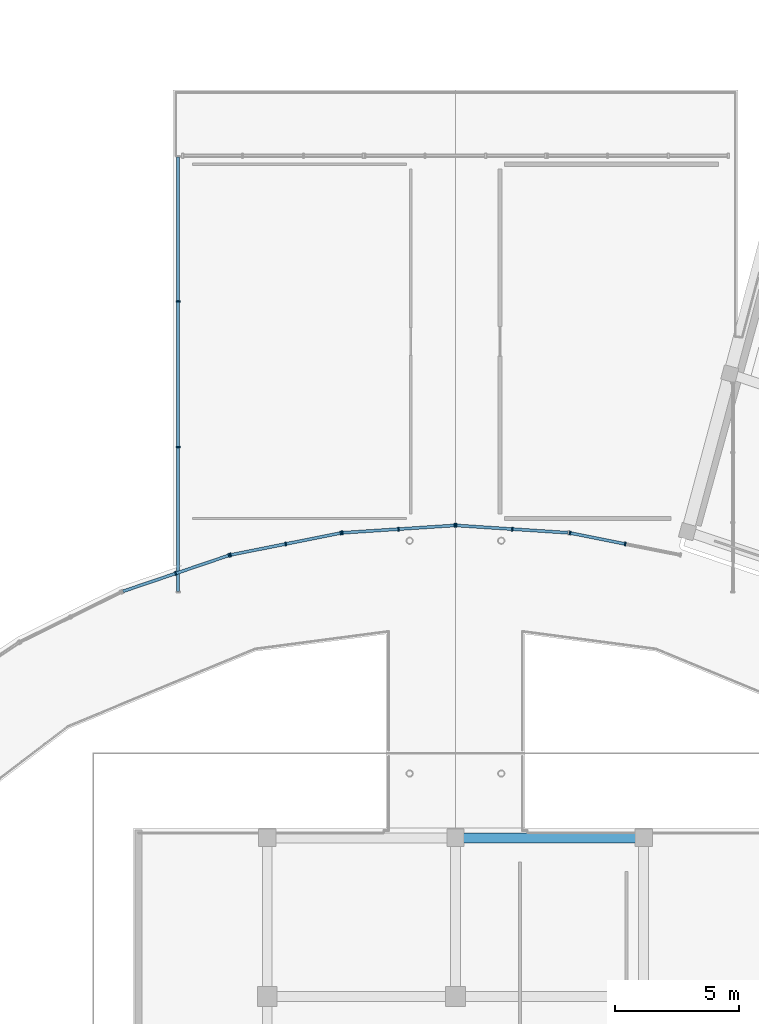
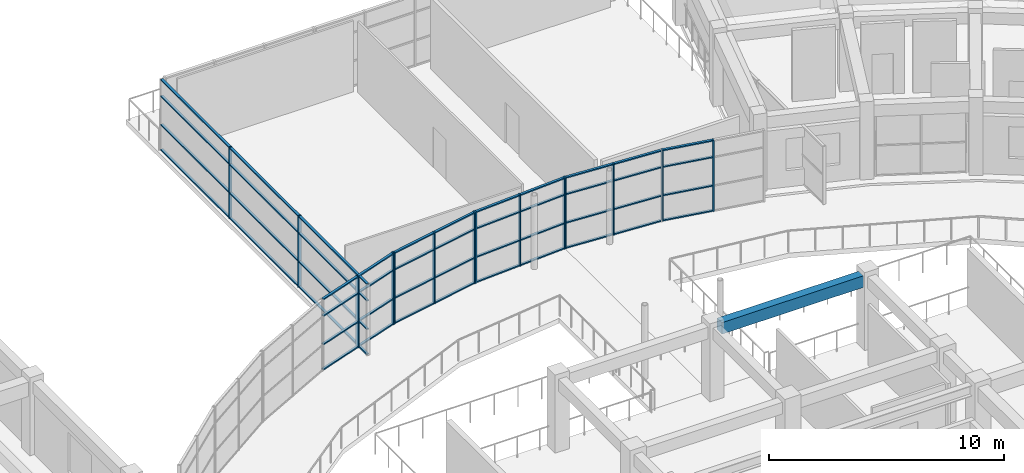
# One storey, part 29 of 83: 62 members, 1 beam, 6 elements without a shape of their own.
"""IFC4 building model written with IfcOpenShell, lengths in metres."""

from ifc_helpers import new_model, si_unit, direction, frame, origin, origin_2d, place, context, subcontext, project, spatial, rectangle, extrude, material, material_profile, profile_set, type_object, element, aggregate, save


model = new_model("IFC4")

# Units and contexts
model_context = context("Model", 3, precision=1e-05, world=origin(), true_north=direction((0.0, 1.0)))
body_context = subcontext(model_context, "Body", "Model", "MODEL_VIEW")
ifc_project = project(units=[si_unit("LENGTHUNIT", "METRE"), si_unit("AREAUNIT", "SQUARE_METRE"), si_unit("VOLUMEUNIT", "CUBIC_METRE"), si_unit("PLANEANGLEUNIT", "RADIAN"), si_unit("MASSUNIT", "GRAM", prefix="KILO")], contexts=[model_context])

# Site, building, storey
site_placement = place(None, origin())
site = spatial("IfcSite", under=ifc_project, at=site_placement, CompositionType="ELEMENT")
building_placement = place(site_placement, origin())
building = spatial("IfcBuilding", under=site, at=building_placement, Name="Saryqyr Civic Hall", CompositionType="ELEMENT")
storey_placement = place(building_placement, frame((0.0, 0.0, 9.14990234375)))
storey = spatial("IfcBuildingStorey", under=building, at=storey_placement, Name="L02", CompositionType="ELEMENT", Elevation=9.14990234375)

# Curtain wall, members
ifc_material_1 = material(Name="Anodised aluminium and triple low-E glass", Category="aluminium")
curtain_wall_type_1 = type_object("IfcCurtainWallType", Name="ENV-CW-STD-72", PredefinedType="NOTDEFINED", material=ifc_material_1)
curtain_wall_1_placement = place(storey_placement, origin())
curtain_wall_1 = element("IfcCurtainWall", 1, at=curtain_wall_1_placement, inside=storey, type_object=curtain_wall_type_1, Name="Curtain wall V2-VESTFLK-NW-L02", PredefinedType="NOTDEFINED")
ifc_material_2 = material(Name="Anodised aluminium", Category="aluminium")
ifc_material_profile_1 = material_profile(ifc_material_2, rectangle(XDim=0.06005859375, YDim=0.159912109375, at=origin_2d()), Name="ALU MULLION 60x160")
ifc_profile_set_1 = profile_set([ifc_material_profile_1], Name="Anodised aluminium")
member_type_1 = type_object("IfcMemberType", Name="ENV-CW-MUL-180", PredefinedType="MULLION", material=ifc_profile_set_1)
member_1_placement = place(storey_placement, frame((45.800048828125, 122.38330078125, 0.0), z_axis=(0.0, 0.0, 1.0), x_axis=(0.0, 1.0, 0.0)))
member_1 = element("IfcMember", 2, at=member_1_placement, type_object=member_type_1, Name="CW-72 mullion 2", PredefinedType="MULLION", context=body_context, shape_type="SweptSolid", body=[
    extrude(rectangle(XDim=0.06005859375, YDim=0.159912109375, at=origin_2d()), origin(), (0.0, 0.0, 1.0), 3.7001953125),
])
member_2_placement = place(storey_placement, frame((45.800048828125, 128.2666015625, 0.0), z_axis=(0.0, 0.0, 1.0), x_axis=(0.0, 1.0, 0.0)))
member_2 = element("IfcMember", 3, at=member_2_placement, type_object=member_type_1, Name="CW-72 mullion 3", PredefinedType="MULLION", context=body_context, shape_type="SweptSolid", body=[
    extrude(rectangle(XDim=0.06005859375, YDim=0.159912109375, at=origin_2d()), origin(), (0.0, 0.0, 1.0), 3.7001953125),
])

curtain_wall_type_2 = type_object("IfcCurtainWallType", Name="ENV-CW-STD-74", PredefinedType="NOTDEFINED", material=ifc_material_1)
curtain_wall_2_placement = place(storey_placement, origin())
curtain_wall_2 = element("IfcCurtainWall", 4, at=curtain_wall_2_placement, inside=storey, type_object=curtain_wall_type_2, Name="Curtain wall V2-PERIM-CW-L02-10", PredefinedType="NOTDEFINED")
member_3_placement = place(storey_placement, frame((61.62646484375, 118.912841796875, 0.0), z_axis=(0.0, 0.0, 1.0), x_axis=(0.980784679507, -0.195093342902, 0.0)))
member_3 = element("IfcMember", 5, at=member_3_placement, type_object=member_type_1, Name="CW-74 mullion 1", PredefinedType="MULLION", context=body_context, shape_type="SweptSolid", body=[
    extrude(rectangle(XDim=0.06005859375, YDim=0.159912109375, at=origin_2d()), origin(), (0.0, 0.0, 1.0), 3.7001953125),
])
member_4_placement = place(storey_placement, frame((63.8564453125, 118.46923828125, 0.0), z_axis=(0.0, 0.0, 1.0), x_axis=(0.980784679507, -0.195093342902, 0.0)))
member_4 = element("IfcMember", 6, at=member_4_placement, type_object=member_type_1, Name="CW-74 mullion 2", PredefinedType="MULLION", context=body_context, shape_type="SweptSolid", body=[
    extrude(rectangle(XDim=0.06005859375, YDim=0.159912109375, at=origin_2d()), origin(), (0.0, 0.0, 1.0), 3.7001953125),
])

curtain_wall_3_placement = place(storey_placement, origin())
curtain_wall_3 = element("IfcCurtainWall", 7, at=curtain_wall_3_placement, inside=storey, type_object=curtain_wall_type_2, Name="Curtain wall V2-PERIM-CW-L02-11", PredefinedType="NOTDEFINED")
member_5_placement = place(storey_placement, frame((57.030029296875, 119.218017578125, 0.0), z_axis=(0.0, 0.0, 1.0), x_axis=(0.997859062814, -0.065400999681, 0.0)))
member_5 = element("IfcMember", 8, at=member_5_placement, type_object=member_type_1, Name="CW-74 mullion 1", PredefinedType="MULLION", context=body_context, shape_type="SweptSolid", body=[
    extrude(rectangle(XDim=0.06005859375, YDim=0.159912109375, at=origin_2d()), origin(), (0.0, 0.0, 1.0), 3.7001953125),
])
member_6_placement = place(storey_placement, frame((59.298583984375, 119.0693359375, 0.0), z_axis=(0.0, 0.0, 1.0), x_axis=(0.997859062814, -0.065400999681, 0.0)))
member_6 = element("IfcMember", 9, at=member_6_placement, type_object=member_type_1, Name="CW-74 mullion 2", PredefinedType="MULLION", context=body_context, shape_type="SweptSolid", body=[
    extrude(rectangle(XDim=0.06005859375, YDim=0.159912109375, at=origin_2d()), origin(), (0.0, 0.0, 1.0), 3.7001953125),
])

curtain_wall_4_placement = place(storey_placement, origin())
curtain_wall_4 = element("IfcCurtainWall", 10, at=curtain_wall_4_placement, inside=storey, type_object=curtain_wall_type_2, Name="Curtain wall V2-PERIM-CW-L02-12", PredefinedType="NOTDEFINED")
member_7_placement = place(storey_placement, frame((52.432861328125, 118.920654296875, 0.0), z_axis=(0.0, 0.0, 1.0), x_axis=(0.997859062814, 0.065400999681, 0.0)))
member_7 = element("IfcMember", 11, at=member_7_placement, type_object=member_type_1, Name="CW-74 mullion 1", PredefinedType="MULLION", context=body_context, shape_type="SweptSolid", body=[
    extrude(rectangle(XDim=0.06005859375, YDim=0.159912109375, at=origin_2d()), origin(), (0.0, 0.0, 1.0), 3.7001953125),
])
member_8_placement = place(storey_placement, frame((54.701416015625, 119.0693359375, 0.0), z_axis=(0.0, 0.0, 1.0), x_axis=(0.997859062814, 0.065400999681, 0.0)))
member_8 = element("IfcMember", 12, at=member_8_placement, type_object=member_type_1, Name="CW-74 mullion 2", PredefinedType="MULLION", context=body_context, shape_type="SweptSolid", body=[
    extrude(rectangle(XDim=0.06005859375, YDim=0.159912109375, at=origin_2d()), origin(), (0.0, 0.0, 1.0), 3.7001953125),
])
member_9_placement = place(storey_placement, frame((56.969970703125, 119.218017578125, 0.0), z_axis=(0.0, 0.0, 1.0), x_axis=(0.997859062814, 0.065400999681, 0.0)))
member_9 = element("IfcMember", 13, at=member_9_placement, type_object=member_type_1, Name="CW-74 mullion 3", PredefinedType="MULLION", context=body_context, shape_type="SweptSolid", body=[
    extrude(rectangle(XDim=0.06005859375, YDim=0.159912109375, at=origin_2d()), origin(), (0.0, 0.0, 1.0), 3.7001953125),
])

curtain_wall_5_placement = place(storey_placement, origin())
curtain_wall_5 = element("IfcCurtainWall", 14, at=curtain_wall_5_placement, inside=storey, type_object=curtain_wall_type_2, Name="Curtain wall V2-PERIM-CW-L02-13", PredefinedType="NOTDEFINED")
member_10_placement = place(storey_placement, frame((47.913818359375, 118.025634765625, 0.0), z_axis=(0.0, 0.0, 1.0), x_axis=(0.980784679507, 0.195093342902, 0.0)))
member_10 = element("IfcMember", 15, at=member_10_placement, type_object=member_type_1, Name="CW-74 mullion 1", PredefinedType="MULLION", context=body_context, shape_type="SweptSolid", body=[
    extrude(rectangle(XDim=0.06005859375, YDim=0.159912109375, at=origin_2d()), origin(), (0.0, 0.0, 1.0), 3.7001953125),
])
member_11_placement = place(storey_placement, frame((50.1435546875, 118.46923828125, 0.0), z_axis=(0.0, 0.0, 1.0), x_axis=(0.980784679507, 0.195093342902, 0.0)))
member_11 = element("IfcMember", 16, at=member_11_placement, type_object=member_type_1, Name="CW-74 mullion 2", PredefinedType="MULLION", context=body_context, shape_type="SweptSolid", body=[
    extrude(rectangle(XDim=0.06005859375, YDim=0.159912109375, at=origin_2d()), origin(), (0.0, 0.0, 1.0), 3.7001953125),
])
member_12_placement = place(storey_placement, frame((52.37353515625, 118.912841796875, 0.0), z_axis=(0.0, 0.0, 1.0), x_axis=(0.980784679507, 0.195093342902, 0.0)))
member_12 = element("IfcMember", 17, at=member_12_placement, type_object=member_type_1, Name="CW-74 mullion 3", PredefinedType="MULLION", context=body_context, shape_type="SweptSolid", body=[
    extrude(rectangle(XDim=0.06005859375, YDim=0.159912109375, at=origin_2d()), origin(), (0.0, 0.0, 1.0), 3.7001953125),
])

curtain_wall_6_placement = place(storey_placement, origin())
curtain_wall_6 = element("IfcCurtainWall", 18, at=curtain_wall_6_placement, inside=storey, type_object=curtain_wall_type_2, Name="Curtain wall V2-PERIM-CW-L02-14", PredefinedType="NOTDEFINED")
member_13_placement = place(storey_placement, frame((45.703125, 117.279541015625, 0.0), z_axis=(0.0, 0.0, 1.0), x_axis=(0.946928094828, 0.321445459178, 0.0)))
member_13 = element("IfcMember", 19, at=member_13_placement, type_object=member_type_1, Name="CW-74 mullion 2", PredefinedType="MULLION", context=body_context, shape_type="SweptSolid", body=[
    extrude(rectangle(XDim=0.06005859375, YDim=0.159912109375, at=origin_2d()), origin(), (0.0, 0.0, 1.0), 3.7001953125),
])
member_14_placement = place(storey_placement, frame((47.85595703125, 118.01025390625, 0.0), z_axis=(0.0, 0.0, 1.0), x_axis=(0.946928094828, 0.321445459178, 0.0)))
member_14 = element("IfcMember", 20, at=member_14_placement, type_object=member_type_1, Name="CW-74 mullion 3", PredefinedType="MULLION", context=body_context, shape_type="SweptSolid", body=[
    extrude(rectangle(XDim=0.06005859375, YDim=0.159912109375, at=origin_2d()), origin(), (0.0, 0.0, 1.0), 3.7001953125),
])

# Member
ifc_material_profile_2 = material_profile(ifc_material_2, rectangle(XDim=0.1201171875, YDim=0.06005859375, at=origin_2d()), Name="ALU TRANSOM 120x60")
ifc_profile_set_2 = profile_set([ifc_material_profile_2], Name="Anodised aluminium")
member_type_2 = type_object("IfcMemberType", Name="ENV-CW-TRN-150", PredefinedType="USERDEFINED", material=ifc_profile_set_2)
member_15_placement = place(storey_placement, frame((45.800048828125, 116.56005859375, 0.030029296875), z_axis=(0.0, 1.0, 0.0), x_axis=(-1.0, 0.0, 0.0)))
member_15 = element("IfcMember", 21, at=member_15_placement, type_object=member_type_2, Name="CW-72 transom 1.1", ObjectType="TRANSOM", PredefinedType="USERDEFINED", context=body_context, shape_type="SweptSolid", body=[
    extrude(rectangle(XDim=0.1201171875, YDim=0.06005859375, at=origin_2d()), origin(), (0.0, 0.0, 1.0), 5.793212890625),
])

member_16_placement = place(storey_placement, frame((45.800048828125, 116.56005859375, 1.33203125), z_axis=(0.0, 1.0, 0.0), x_axis=(-1.0, 0.0, 0.0)))
member_16 = element("IfcMember", 22, at=member_16_placement, type_object=member_type_2, Name="CW-72 transom 1.2", ObjectType="TRANSOM", PredefinedType="USERDEFINED", context=body_context, shape_type="SweptSolid", body=[
    extrude(rectangle(XDim=0.1201171875, YDim=0.06005859375, at=origin_2d()), origin(), (0.0, 0.0, 1.0), 5.793212890625),
])

member_17_placement = place(storey_placement, frame((45.800048828125, 116.56005859375, 2.81201171875), z_axis=(0.0, 1.0, 0.0), x_axis=(-1.0, 0.0, 0.0)))
member_17 = element("IfcMember", 23, at=member_17_placement, type_object=member_type_2, Name="CW-72 transom 1.3", ObjectType="TRANSOM", PredefinedType="USERDEFINED", context=body_context, shape_type="SweptSolid", body=[
    extrude(rectangle(XDim=0.1201171875, YDim=0.06005859375, at=origin_2d()), origin(), (0.0, 0.0, 1.0), 5.793212890625),
])

member_18_placement = place(storey_placement, frame((45.800048828125, 116.56005859375, 3.670166015625), z_axis=(0.0, 1.0, 0.0), x_axis=(-1.0, 0.0, 0.0)))
member_18 = element("IfcMember", 24, at=member_18_placement, type_object=member_type_2, Name="CW-72 transom 1.4", ObjectType="TRANSOM", PredefinedType="USERDEFINED", context=body_context, shape_type="SweptSolid", body=[
    extrude(rectangle(XDim=0.1201171875, YDim=0.06005859375, at=origin_2d()), origin(), (0.0, 0.0, 1.0), 5.793212890625),
])

member_19_placement = place(storey_placement, frame((45.800048828125, 122.413330078125, 0.030029296875), z_axis=(0.0, 1.0, 0.0), x_axis=(-1.0, 0.0, 0.0)))
member_19 = element("IfcMember", 25, at=member_19_placement, type_object=member_type_2, Name="CW-72 transom 2.1", ObjectType="TRANSOM", PredefinedType="USERDEFINED", context=body_context, shape_type="SweptSolid", body=[
    extrude(rectangle(XDim=0.1201171875, YDim=0.06005859375, at=origin_2d()), origin(), (0.0, 0.0, 1.0), 5.8232421875),
])

member_20_placement = place(storey_placement, frame((45.800048828125, 122.413330078125, 1.33203125), z_axis=(0.0, 1.0, 0.0), x_axis=(-1.0, 0.0, 0.0)))
member_20 = element("IfcMember", 26, at=member_20_placement, type_object=member_type_2, Name="CW-72 transom 2.2", ObjectType="TRANSOM", PredefinedType="USERDEFINED", context=body_context, shape_type="SweptSolid", body=[
    extrude(rectangle(XDim=0.1201171875, YDim=0.06005859375, at=origin_2d()), origin(), (0.0, 0.0, 1.0), 5.8232421875),
])

member_21_placement = place(storey_placement, frame((45.800048828125, 122.413330078125, 2.81201171875), z_axis=(0.0, 1.0, 0.0), x_axis=(-1.0, 0.0, 0.0)))
member_21 = element("IfcMember", 27, at=member_21_placement, type_object=member_type_2, Name="CW-72 transom 2.3", ObjectType="TRANSOM", PredefinedType="USERDEFINED", context=body_context, shape_type="SweptSolid", body=[
    extrude(rectangle(XDim=0.1201171875, YDim=0.06005859375, at=origin_2d()), origin(), (0.0, 0.0, 1.0), 5.8232421875),
])

member_22_placement = place(storey_placement, frame((45.800048828125, 122.413330078125, 3.670166015625), z_axis=(0.0, 1.0, 0.0), x_axis=(-1.0, 0.0, 0.0)))
member_22 = element("IfcMember", 28, at=member_22_placement, type_object=member_type_2, Name="CW-72 transom 2.4", ObjectType="TRANSOM", PredefinedType="USERDEFINED", context=body_context, shape_type="SweptSolid", body=[
    extrude(rectangle(XDim=0.1201171875, YDim=0.06005859375, at=origin_2d()), origin(), (0.0, 0.0, 1.0), 5.8232421875),
])

member_23_placement = place(storey_placement, frame((45.800048828125, 128.296630859375, 0.030029296875), z_axis=(0.0, 1.0, 0.0), x_axis=(-1.0, 0.0, 0.0)))
member_23 = element("IfcMember", 29, at=member_23_placement, type_object=member_type_2, Name="CW-72 transom 3.1", ObjectType="TRANSOM", PredefinedType="USERDEFINED", context=body_context, shape_type="SweptSolid", body=[
    extrude(rectangle(XDim=0.1201171875, YDim=0.06005859375, at=origin_2d()), origin(), (0.0, 0.0, 1.0), 5.79345703125),
])

member_24_placement = place(storey_placement, frame((45.800048828125, 128.296630859375, 1.33203125), z_axis=(0.0, 1.0, 0.0), x_axis=(-1.0, 0.0, 0.0)))
member_24 = element("IfcMember", 30, at=member_24_placement, type_object=member_type_2, Name="CW-72 transom 3.2", ObjectType="TRANSOM", PredefinedType="USERDEFINED", context=body_context, shape_type="SweptSolid", body=[
    extrude(rectangle(XDim=0.1201171875, YDim=0.06005859375, at=origin_2d()), origin(), (0.0, 0.0, 1.0), 5.79345703125),
])

member_25_placement = place(storey_placement, frame((45.800048828125, 128.296630859375, 2.81201171875), z_axis=(0.0, 1.0, 0.0), x_axis=(-1.0, 0.0, 0.0)))
member_25 = element("IfcMember", 31, at=member_25_placement, type_object=member_type_2, Name="CW-72 transom 3.3", ObjectType="TRANSOM", PredefinedType="USERDEFINED", context=body_context, shape_type="SweptSolid", body=[
    extrude(rectangle(XDim=0.1201171875, YDim=0.06005859375, at=origin_2d()), origin(), (0.0, 0.0, 1.0), 5.79345703125),
])

member_26_placement = place(storey_placement, frame((45.800048828125, 128.296630859375, 3.670166015625), z_axis=(0.0, 1.0, 0.0), x_axis=(-1.0, 0.0, 0.0)))
member_26 = element("IfcMember", 32, at=member_26_placement, type_object=member_type_2, Name="CW-72 transom 3.4", ObjectType="TRANSOM", PredefinedType="USERDEFINED", context=body_context, shape_type="SweptSolid", body=[
    extrude(rectangle(XDim=0.1201171875, YDim=0.06005859375, at=origin_2d()), origin(), (0.0, 0.0, 1.0), 5.79345703125),
])

aggregate(curtain_wall_1, [member_1, member_2, member_15, member_16, member_17, member_18, member_19, member_20, member_21, member_22, member_23, member_24, member_25, member_26])

member_27_placement = place(storey_placement, frame((61.656005859375, 118.906982421875, 0.030029296875), z_axis=(0.980779555737, -0.195119099651, 0.0), x_axis=(0.195119099651, 0.980779555737, 0.0)))
member_27 = element("IfcMember", 33, at=member_27_placement, type_object=member_type_2, Name="CW-74 transom 1.1", ObjectType="TRANSOM", PredefinedType="USERDEFINED", context=body_context, shape_type="SweptSolid", body=[
    extrude(rectangle(XDim=0.1201171875, YDim=0.06005859375, at=origin_2d()), origin(), (0.0, 0.0, 1.0), 2.21337890625),
])

member_28_placement = place(storey_placement, frame((61.656005859375, 118.906982421875, 1.33203125), z_axis=(0.980779555737, -0.195119099651, 0.0), x_axis=(0.195119099651, 0.980779555737, 0.0)))
member_28 = element("IfcMember", 34, at=member_28_placement, type_object=member_type_2, Name="CW-74 transom 1.2", ObjectType="TRANSOM", PredefinedType="USERDEFINED", context=body_context, shape_type="SweptSolid", body=[
    extrude(rectangle(XDim=0.1201171875, YDim=0.06005859375, at=origin_2d()), origin(), (0.0, 0.0, 1.0), 2.21337890625),
])

member_29_placement = place(storey_placement, frame((61.656005859375, 118.906982421875, 2.81201171875), z_axis=(0.980779555737, -0.195119099651, 0.0), x_axis=(0.195119099651, 0.980779555737, 0.0)))
member_29 = element("IfcMember", 35, at=member_29_placement, type_object=member_type_2, Name="CW-74 transom 1.3", ObjectType="TRANSOM", PredefinedType="USERDEFINED", context=body_context, shape_type="SweptSolid", body=[
    extrude(rectangle(XDim=0.1201171875, YDim=0.06005859375, at=origin_2d()), origin(), (0.0, 0.0, 1.0), 2.21337890625),
])

member_30_placement = place(storey_placement, frame((61.656005859375, 118.906982421875, 3.670166015625), z_axis=(0.980779555737, -0.195119099651, 0.0), x_axis=(0.195119099651, 0.980779555737, 0.0)))
member_30 = element("IfcMember", 36, at=member_30_placement, type_object=member_type_2, Name="CW-74 transom 1.4", ObjectType="TRANSOM", PredefinedType="USERDEFINED", context=body_context, shape_type="SweptSolid", body=[
    extrude(rectangle(XDim=0.1201171875, YDim=0.06005859375, at=origin_2d()), origin(), (0.0, 0.0, 1.0), 2.21337890625),
])

aggregate(curtain_wall_2, [member_3, member_4, member_27, member_28, member_29, member_30])

member_31_placement = place(storey_placement, frame((57.059814453125, 119.216064453125, 0.030029296875), z_axis=(0.997858719579, -0.0654062364, 0.0), x_axis=(0.0654062364, 0.997858719579, 0.0)))
member_31 = element("IfcMember", 37, at=member_31_placement, type_object=member_type_2, Name="CW-74 transom 1.1", ObjectType="TRANSOM", PredefinedType="USERDEFINED", context=body_context, shape_type="SweptSolid", body=[
    extrude(rectangle(XDim=0.1201171875, YDim=0.06005859375, at=origin_2d()), origin(), (0.0, 0.0, 1.0), 2.21337890625),
])

member_32_placement = place(storey_placement, frame((57.059814453125, 119.216064453125, 1.33203125), z_axis=(0.997858719579, -0.0654062364, 0.0), x_axis=(0.0654062364, 0.997858719579, 0.0)))
member_32 = element("IfcMember", 38, at=member_32_placement, type_object=member_type_2, Name="CW-74 transom 1.2", ObjectType="TRANSOM", PredefinedType="USERDEFINED", context=body_context, shape_type="SweptSolid", body=[
    extrude(rectangle(XDim=0.1201171875, YDim=0.06005859375, at=origin_2d()), origin(), (0.0, 0.0, 1.0), 2.21337890625),
])

member_33_placement = place(storey_placement, frame((57.059814453125, 119.216064453125, 2.81201171875), z_axis=(0.997858719579, -0.0654062364, 0.0), x_axis=(0.0654062364, 0.997858719579, 0.0)))
member_33 = element("IfcMember", 39, at=member_33_placement, type_object=member_type_2, Name="CW-74 transom 1.3", ObjectType="TRANSOM", PredefinedType="USERDEFINED", context=body_context, shape_type="SweptSolid", body=[
    extrude(rectangle(XDim=0.1201171875, YDim=0.06005859375, at=origin_2d()), origin(), (0.0, 0.0, 1.0), 2.21337890625),
])

member_34_placement = place(storey_placement, frame((57.059814453125, 119.216064453125, 3.670166015625), z_axis=(0.997858719579, -0.0654062364, 0.0), x_axis=(0.0654062364, 0.997858719579, 0.0)))
member_34 = element("IfcMember", 40, at=member_34_placement, type_object=member_type_2, Name="CW-74 transom 1.4", ObjectType="TRANSOM", PredefinedType="USERDEFINED", context=body_context, shape_type="SweptSolid", body=[
    extrude(rectangle(XDim=0.1201171875, YDim=0.06005859375, at=origin_2d()), origin(), (0.0, 0.0, 1.0), 2.21337890625),
])

member_35_placement = place(storey_placement, frame((59.328369140625, 119.0673828125, 0.030029296875), z_axis=(0.997858719579, -0.0654062364, 0.0), x_axis=(0.0654062364, 0.997858719579, 0.0)))
member_35 = element("IfcMember", 41, at=member_35_placement, type_object=member_type_2, Name="CW-74 transom 2.1", ObjectType="TRANSOM", PredefinedType="USERDEFINED", context=body_context, shape_type="SweptSolid", body=[
    extrude(rectangle(XDim=0.1201171875, YDim=0.06005859375, at=origin_2d()), origin(), (0.0, 0.0, 1.0), 2.21337890625),
])

member_36_placement = place(storey_placement, frame((59.328369140625, 119.0673828125, 1.33203125), z_axis=(0.997858719579, -0.0654062364, 0.0), x_axis=(0.0654062364, 0.997858719579, 0.0)))
member_36 = element("IfcMember", 42, at=member_36_placement, type_object=member_type_2, Name="CW-74 transom 2.2", ObjectType="TRANSOM", PredefinedType="USERDEFINED", context=body_context, shape_type="SweptSolid", body=[
    extrude(rectangle(XDim=0.1201171875, YDim=0.06005859375, at=origin_2d()), origin(), (0.0, 0.0, 1.0), 2.21337890625),
])

member_37_placement = place(storey_placement, frame((59.328369140625, 119.0673828125, 2.81201171875), z_axis=(0.997858719579, -0.0654062364, 0.0), x_axis=(0.0654062364, 0.997858719579, 0.0)))
member_37 = element("IfcMember", 43, at=member_37_placement, type_object=member_type_2, Name="CW-74 transom 2.3", ObjectType="TRANSOM", PredefinedType="USERDEFINED", context=body_context, shape_type="SweptSolid", body=[
    extrude(rectangle(XDim=0.1201171875, YDim=0.06005859375, at=origin_2d()), origin(), (0.0, 0.0, 1.0), 2.21337890625),
])

member_38_placement = place(storey_placement, frame((59.328369140625, 119.0673828125, 3.670166015625), z_axis=(0.997858719579, -0.0654062364, 0.0), x_axis=(0.0654062364, 0.997858719579, 0.0)))
member_38 = element("IfcMember", 44, at=member_38_placement, type_object=member_type_2, Name="CW-74 transom 2.4", ObjectType="TRANSOM", PredefinedType="USERDEFINED", context=body_context, shape_type="SweptSolid", body=[
    extrude(rectangle(XDim=0.1201171875, YDim=0.06005859375, at=origin_2d()), origin(), (0.0, 0.0, 1.0), 2.21337890625),
])

aggregate(curtain_wall_3, [member_5, member_6, member_31, member_32, member_33, member_34, member_35, member_36, member_37, member_38])

member_39_placement = place(storey_placement, frame((52.462890625, 118.922607421875, 0.030029296875), z_axis=(0.997858719579, 0.0654062364, 0.0), x_axis=(-0.0654062364, 0.997858719579, 0.0)))
member_39 = element("IfcMember", 45, at=member_39_placement, type_object=member_type_2, Name="CW-74 transom 1.1", ObjectType="TRANSOM", PredefinedType="USERDEFINED", context=body_context, shape_type="SweptSolid", body=[
    extrude(rectangle(XDim=0.1201171875, YDim=0.06005859375, at=origin_2d()), origin(), (0.0, 0.0, 1.0), 2.21337890625),
])

member_40_placement = place(storey_placement, frame((52.462890625, 118.922607421875, 1.33203125), z_axis=(0.997858719579, 0.0654062364, 0.0), x_axis=(-0.0654062364, 0.997858719579, 0.0)))
member_40 = element("IfcMember", 46, at=member_40_placement, type_object=member_type_2, Name="CW-74 transom 1.2", ObjectType="TRANSOM", PredefinedType="USERDEFINED", context=body_context, shape_type="SweptSolid", body=[
    extrude(rectangle(XDim=0.1201171875, YDim=0.06005859375, at=origin_2d()), origin(), (0.0, 0.0, 1.0), 2.21337890625),
])

member_41_placement = place(storey_placement, frame((52.462890625, 118.922607421875, 2.81201171875), z_axis=(0.997858719579, 0.0654062364, 0.0), x_axis=(-0.0654062364, 0.997858719579, 0.0)))
member_41 = element("IfcMember", 47, at=member_41_placement, type_object=member_type_2, Name="CW-74 transom 1.3", ObjectType="TRANSOM", PredefinedType="USERDEFINED", context=body_context, shape_type="SweptSolid", body=[
    extrude(rectangle(XDim=0.1201171875, YDim=0.06005859375, at=origin_2d()), origin(), (0.0, 0.0, 1.0), 2.21337890625),
])

member_42_placement = place(storey_placement, frame((52.462890625, 118.922607421875, 3.670166015625), z_axis=(0.997858719579, 0.0654062364, 0.0), x_axis=(-0.0654062364, 0.997858719579, 0.0)))
member_42 = element("IfcMember", 48, at=member_42_placement, type_object=member_type_2, Name="CW-74 transom 1.4", ObjectType="TRANSOM", PredefinedType="USERDEFINED", context=body_context, shape_type="SweptSolid", body=[
    extrude(rectangle(XDim=0.1201171875, YDim=0.06005859375, at=origin_2d()), origin(), (0.0, 0.0, 1.0), 2.21337890625),
])

member_43_placement = place(storey_placement, frame((54.7314453125, 119.0712890625, 0.030029296875), z_axis=(0.997858719579, 0.0654062364, 0.0), x_axis=(-0.0654062364, 0.997858719579, 0.0)))
member_43 = element("IfcMember", 49, at=member_43_placement, type_object=member_type_2, Name="CW-74 transom 2.1", ObjectType="TRANSOM", PredefinedType="USERDEFINED", context=body_context, shape_type="SweptSolid", body=[
    extrude(rectangle(XDim=0.1201171875, YDim=0.06005859375, at=origin_2d()), origin(), (0.0, 0.0, 1.0), 2.21337890625),
])

member_44_placement = place(storey_placement, frame((54.7314453125, 119.0712890625, 1.33203125), z_axis=(0.997858719579, 0.0654062364, 0.0), x_axis=(-0.0654062364, 0.997858719579, 0.0)))
member_44 = element("IfcMember", 50, at=member_44_placement, type_object=member_type_2, Name="CW-74 transom 2.2", ObjectType="TRANSOM", PredefinedType="USERDEFINED", context=body_context, shape_type="SweptSolid", body=[
    extrude(rectangle(XDim=0.1201171875, YDim=0.06005859375, at=origin_2d()), origin(), (0.0, 0.0, 1.0), 2.21337890625),
])

member_45_placement = place(storey_placement, frame((54.7314453125, 119.0712890625, 2.81201171875), z_axis=(0.997858719579, 0.0654062364, 0.0), x_axis=(-0.0654062364, 0.997858719579, 0.0)))
member_45 = element("IfcMember", 51, at=member_45_placement, type_object=member_type_2, Name="CW-74 transom 2.3", ObjectType="TRANSOM", PredefinedType="USERDEFINED", context=body_context, shape_type="SweptSolid", body=[
    extrude(rectangle(XDim=0.1201171875, YDim=0.06005859375, at=origin_2d()), origin(), (0.0, 0.0, 1.0), 2.21337890625),
])

member_46_placement = place(storey_placement, frame((54.7314453125, 119.0712890625, 3.670166015625), z_axis=(0.997858719579, 0.0654062364, 0.0), x_axis=(-0.0654062364, 0.997858719579, 0.0)))
member_46 = element("IfcMember", 52, at=member_46_placement, type_object=member_type_2, Name="CW-74 transom 2.4", ObjectType="TRANSOM", PredefinedType="USERDEFINED", context=body_context, shape_type="SweptSolid", body=[
    extrude(rectangle(XDim=0.1201171875, YDim=0.06005859375, at=origin_2d()), origin(), (0.0, 0.0, 1.0), 2.21337890625),
])

aggregate(curtain_wall_4, [member_7, member_8, member_9, member_39, member_40, member_41, member_42, member_43, member_44, member_45, member_46])

member_47_placement = place(storey_placement, frame((47.943359375, 118.031494140625, 0.030029296875), z_axis=(0.980779555737, 0.195119099651, 0.0), x_axis=(-0.195119099651, 0.980779555737, 0.0)))
member_47 = element("IfcMember", 53, at=member_47_placement, type_object=member_type_2, Name="CW-74 transom 1.1", ObjectType="TRANSOM", PredefinedType="USERDEFINED", context=body_context, shape_type="SweptSolid", body=[
    extrude(rectangle(XDim=0.1201171875, YDim=0.06005859375, at=origin_2d()), origin(), (0.0, 0.0, 1.0), 2.21337890625),
])

member_48_placement = place(storey_placement, frame((47.943359375, 118.031494140625, 1.33203125), z_axis=(0.980779555737, 0.195119099651, 0.0), x_axis=(-0.195119099651, 0.980779555737, 0.0)))
member_48 = element("IfcMember", 54, at=member_48_placement, type_object=member_type_2, Name="CW-74 transom 1.2", ObjectType="TRANSOM", PredefinedType="USERDEFINED", context=body_context, shape_type="SweptSolid", body=[
    extrude(rectangle(XDim=0.1201171875, YDim=0.06005859375, at=origin_2d()), origin(), (0.0, 0.0, 1.0), 2.21337890625),
])

member_49_placement = place(storey_placement, frame((47.943359375, 118.031494140625, 2.81201171875), z_axis=(0.980779555737, 0.195119099651, 0.0), x_axis=(-0.195119099651, 0.980779555737, 0.0)))
member_49 = element("IfcMember", 55, at=member_49_placement, type_object=member_type_2, Name="CW-74 transom 1.3", ObjectType="TRANSOM", PredefinedType="USERDEFINED", context=body_context, shape_type="SweptSolid", body=[
    extrude(rectangle(XDim=0.1201171875, YDim=0.06005859375, at=origin_2d()), origin(), (0.0, 0.0, 1.0), 2.21337890625),
])

member_50_placement = place(storey_placement, frame((47.943359375, 118.031494140625, 3.670166015625), z_axis=(0.980779555737, 0.195119099651, 0.0), x_axis=(-0.195119099651, 0.980779555737, 0.0)))
member_50 = element("IfcMember", 56, at=member_50_placement, type_object=member_type_2, Name="CW-74 transom 1.4", ObjectType="TRANSOM", PredefinedType="USERDEFINED", context=body_context, shape_type="SweptSolid", body=[
    extrude(rectangle(XDim=0.1201171875, YDim=0.06005859375, at=origin_2d()), origin(), (0.0, 0.0, 1.0), 2.21337890625),
])

member_51_placement = place(storey_placement, frame((50.173095703125, 118.47509765625, 0.030029296875), z_axis=(0.980779555737, 0.195119099651, 0.0), x_axis=(-0.195119099651, 0.980779555737, 0.0)))
member_51 = element("IfcMember", 57, at=member_51_placement, type_object=member_type_2, Name="CW-74 transom 2.1", ObjectType="TRANSOM", PredefinedType="USERDEFINED", context=body_context, shape_type="SweptSolid", body=[
    extrude(rectangle(XDim=0.1201171875, YDim=0.06005859375, at=origin_2d()), origin(), (0.0, 0.0, 1.0), 2.21337890625),
])

member_52_placement = place(storey_placement, frame((50.173095703125, 118.47509765625, 1.33203125), z_axis=(0.980779555737, 0.195119099651, 0.0), x_axis=(-0.195119099651, 0.980779555737, 0.0)))
member_52 = element("IfcMember", 58, at=member_52_placement, type_object=member_type_2, Name="CW-74 transom 2.2", ObjectType="TRANSOM", PredefinedType="USERDEFINED", context=body_context, shape_type="SweptSolid", body=[
    extrude(rectangle(XDim=0.1201171875, YDim=0.06005859375, at=origin_2d()), origin(), (0.0, 0.0, 1.0), 2.21337890625),
])

member_53_placement = place(storey_placement, frame((50.173095703125, 118.47509765625, 2.81201171875), z_axis=(0.980779555737, 0.195119099651, 0.0), x_axis=(-0.195119099651, 0.980779555737, 0.0)))
member_53 = element("IfcMember", 59, at=member_53_placement, type_object=member_type_2, Name="CW-74 transom 2.3", ObjectType="TRANSOM", PredefinedType="USERDEFINED", context=body_context, shape_type="SweptSolid", body=[
    extrude(rectangle(XDim=0.1201171875, YDim=0.06005859375, at=origin_2d()), origin(), (0.0, 0.0, 1.0), 2.21337890625),
])

member_54_placement = place(storey_placement, frame((50.173095703125, 118.47509765625, 3.670166015625), z_axis=(0.980779555737, 0.195119099651, 0.0), x_axis=(-0.195119099651, 0.980779555737, 0.0)))
member_54 = element("IfcMember", 60, at=member_54_placement, type_object=member_type_2, Name="CW-74 transom 2.4", ObjectType="TRANSOM", PredefinedType="USERDEFINED", context=body_context, shape_type="SweptSolid", body=[
    extrude(rectangle(XDim=0.1201171875, YDim=0.06005859375, at=origin_2d()), origin(), (0.0, 0.0, 1.0), 2.21337890625),
])

aggregate(curtain_wall_5, [member_10, member_11, member_12, member_47, member_48, member_49, member_50, member_51, member_52, member_53, member_54])

member_55_placement = place(storey_placement, frame((43.57861328125, 116.558349609375, 0.030029296875), z_axis=(0.946948734697, 0.321384650933, 0.0), x_axis=(-0.321384650933, 0.946948734697, 0.0)))
member_55 = element("IfcMember", 61, at=member_55_placement, type_object=member_type_2, Name="CW-74 transom 1.1", ObjectType="TRANSOM", PredefinedType="USERDEFINED", context=body_context, shape_type="SweptSolid", body=[
    extrude(rectangle(XDim=0.1201171875, YDim=0.06005859375, at=origin_2d()), origin(), (0.0, 0.0, 1.0), 2.213623046875),
])

member_56_placement = place(storey_placement, frame((43.57861328125, 116.558349609375, 1.33203125), z_axis=(0.946948734697, 0.321384650933, 0.0), x_axis=(-0.321384650933, 0.946948734697, 0.0)))
member_56 = element("IfcMember", 62, at=member_56_placement, type_object=member_type_2, Name="CW-74 transom 1.2", ObjectType="TRANSOM", PredefinedType="USERDEFINED", context=body_context, shape_type="SweptSolid", body=[
    extrude(rectangle(XDim=0.1201171875, YDim=0.06005859375, at=origin_2d()), origin(), (0.0, 0.0, 1.0), 2.213623046875),
])

member_57_placement = place(storey_placement, frame((43.57861328125, 116.558349609375, 2.81201171875), z_axis=(0.946948734697, 0.321384650933, 0.0), x_axis=(-0.321384650933, 0.946948734697, 0.0)))
member_57 = element("IfcMember", 63, at=member_57_placement, type_object=member_type_2, Name="CW-74 transom 1.3", ObjectType="TRANSOM", PredefinedType="USERDEFINED", context=body_context, shape_type="SweptSolid", body=[
    extrude(rectangle(XDim=0.1201171875, YDim=0.06005859375, at=origin_2d()), origin(), (0.0, 0.0, 1.0), 2.213623046875),
])

member_58_placement = place(storey_placement, frame((43.57861328125, 116.558349609375, 3.670166015625), z_axis=(0.946948734697, 0.321384650933, 0.0), x_axis=(-0.321384650933, 0.946948734697, 0.0)))
member_58 = element("IfcMember", 64, at=member_58_placement, type_object=member_type_2, Name="CW-74 transom 1.4", ObjectType="TRANSOM", PredefinedType="USERDEFINED", context=body_context, shape_type="SweptSolid", body=[
    extrude(rectangle(XDim=0.1201171875, YDim=0.06005859375, at=origin_2d()), origin(), (0.0, 0.0, 1.0), 2.213623046875),
])

member_59_placement = place(storey_placement, frame((45.7314453125, 117.2890625, 0.030029296875), z_axis=(0.946915165682, 0.321483543904, 0.0), x_axis=(-0.321483543904, 0.946915165682, 0.0)))
member_59 = element("IfcMember", 65, at=member_59_placement, type_object=member_type_2, Name="CW-74 transom 2.1", ObjectType="TRANSOM", PredefinedType="USERDEFINED", context=body_context, shape_type="SweptSolid", body=[
    extrude(rectangle(XDim=0.1201171875, YDim=0.06005859375, at=origin_2d()), origin(), (0.0, 0.0, 1.0), 2.213623046875),
])

member_60_placement = place(storey_placement, frame((45.7314453125, 117.2890625, 1.33203125), z_axis=(0.946915165682, 0.321483543904, 0.0), x_axis=(-0.321483543904, 0.946915165682, 0.0)))
member_60 = element("IfcMember", 66, at=member_60_placement, type_object=member_type_2, Name="CW-74 transom 2.2", ObjectType="TRANSOM", PredefinedType="USERDEFINED", context=body_context, shape_type="SweptSolid", body=[
    extrude(rectangle(XDim=0.1201171875, YDim=0.06005859375, at=origin_2d()), origin(), (0.0, 0.0, 1.0), 2.213623046875),
])

member_61_placement = place(storey_placement, frame((45.7314453125, 117.2890625, 2.81201171875), z_axis=(0.946915165682, 0.321483543904, 0.0), x_axis=(-0.321483543904, 0.946915165682, 0.0)))
member_61 = element("IfcMember", 67, at=member_61_placement, type_object=member_type_2, Name="CW-74 transom 2.3", ObjectType="TRANSOM", PredefinedType="USERDEFINED", context=body_context, shape_type="SweptSolid", body=[
    extrude(rectangle(XDim=0.1201171875, YDim=0.06005859375, at=origin_2d()), origin(), (0.0, 0.0, 1.0), 2.213623046875),
])

member_62_placement = place(storey_placement, frame((45.7314453125, 117.2890625, 3.670166015625), z_axis=(0.946915165682, 0.321483543904, 0.0), x_axis=(-0.321483543904, 0.946915165682, 0.0)))
member_62 = element("IfcMember", 68, at=member_62_placement, type_object=member_type_2, Name="CW-74 transom 2.4", ObjectType="TRANSOM", PredefinedType="USERDEFINED", context=body_context, shape_type="SweptSolid", body=[
    extrude(rectangle(XDim=0.1201171875, YDim=0.06005859375, at=origin_2d()), origin(), (0.0, 0.0, 1.0), 2.213623046875),
])

aggregate(curtain_wall_6, [member_13, member_14, member_55, member_56, member_57, member_58, member_59, member_60, member_61, member_62])

# Beam
ifc_material_3 = material(Name="Concrete C35/45", Category="concrete")
ifc_material_profile_3 = material_profile(ifc_material_3, rectangle(XDim=0.39990234375, YDim=0.60009765625, at=origin_2d()), Name="RC 400x600")
ifc_profile_set_3 = profile_set([ifc_material_profile_3], Name="Concrete C35/45")
beam_type = type_object("IfcBeamType", Name="STR-BM-RC400x600", PredefinedType="BEAM", material=ifc_profile_set_3)
beam_placement = place(storey_placement, frame((57.324951171875, 106.60009765625, 3.489990234375), z_axis=(1.0, 0.0, 0.0), x_axis=(0.0, 1.0, 0.0)))
element("IfcBeam", 69, at=beam_placement, inside=storey, type_object=beam_type, Name="Beam V1-TBM-20-L02", PredefinedType="BEAM", context=body_context, shape_type="SweptSolid", body=[
    extrude(rectangle(XDim=0.39990234375, YDim=0.60009765625, at=origin_2d()), origin(), (0.0, 0.0, 1.0), 6.949951171875),
])

save(model, "model.ifc")
